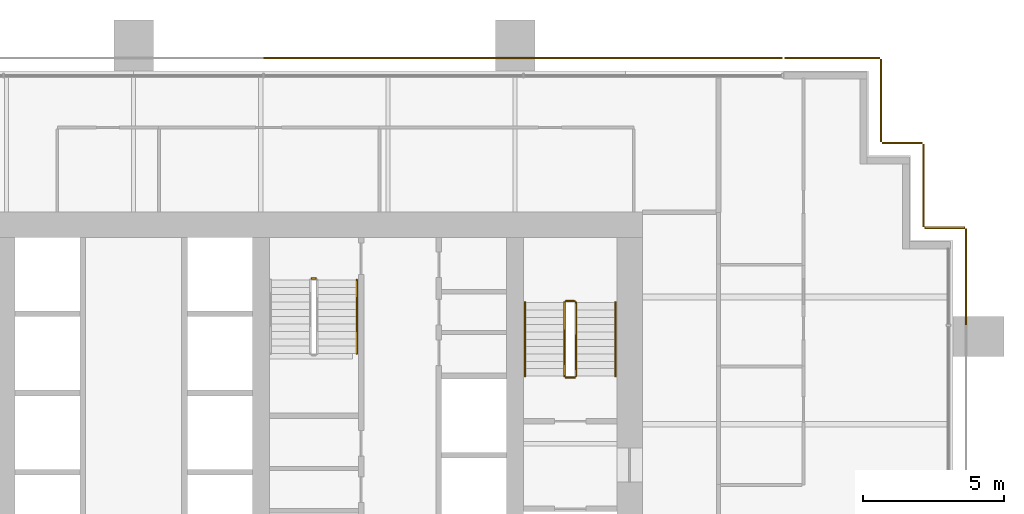
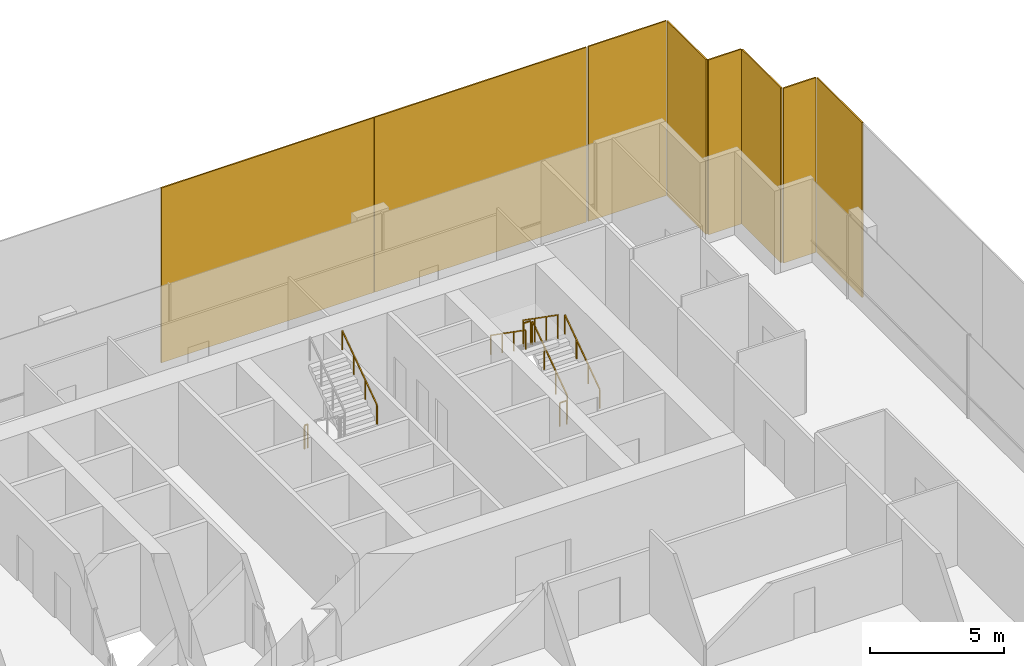
# One storey, part 17 of 17: 8 coverings, 8 railings.
"""IFC4 building model written with IfcOpenShell, lengths in metres."""

from ifc_helpers import new_model, si_unit, direction, frame, origin, origin_2d, place, context, subcontext, project, spatial, rectangle, extrude, material, layer, layer_set, type_object, element, save


model = new_model("IFC4")

# Units and contexts
model_context = context("Model", 3, precision=1e-05, world=origin(), true_north=direction((0.0, 1.0)))
body_context = subcontext(model_context, "Body", "Model", "MODEL_VIEW")
ifc_project = project(units=[si_unit("LENGTHUNIT", "METRE"), si_unit("AREAUNIT", "SQUARE_METRE"), si_unit("VOLUMEUNIT", "CUBIC_METRE"), si_unit("PLANEANGLEUNIT", "RADIAN"), si_unit("MASSUNIT", "GRAM", prefix="KILO")], contexts=[model_context])

# Site, building, storey
site_placement = place(None, origin())
site = spatial("IfcSite", under=ifc_project, at=site_placement, CompositionType="ELEMENT")
building_placement = place(site_placement, origin())
building = spatial("IfcBuilding", under=site, at=building_placement, Name="Rattan Terrace Tower", CompositionType="ELEMENT")
storey_placement = place(building_placement, frame((0.0, 0.0, 126.10009765625)))
storey = spatial("IfcBuildingStorey", under=building, at=storey_placement, Name="L28", CompositionType="ELEMENT", Elevation=126.10009765625)

# Railings
ifc_material_1 = material(Name="Powder-coated steel guard", Category="steel")
railing_type_1 = type_object("IfcRailingType", Name="Core stair guard", PredefinedType="GUARDRAIL", material=ifc_material_1)
railing_1_placement = place(storey_placement, frame((15.64990234375, 1.699951171875, 0.181640625)))
element("IfcRailing", 1, at=railing_1_placement, inside=storey, type_object=railing_type_1, Name="L28 S2 stair guard 1", PredefinedType="GUARDRAIL", context=body_context, shape_type="SweptSolid", body=[
    extrude(rectangle(XDim=0.048095703125, YDim=0.048095703125, at=origin_2d()), frame((0.0, 0.0, 1.076171875), z_axis=(0.0, 0.819484887739, 0.573100792852), x_axis=(-1.0, 0.0, 0.0)), (0.0, 0.0, 1.0), 3.1728515625),
    extrude(rectangle(XDim=0.0419921875, YDim=0.0419921875, at=origin_2d()), origin(), (0.0, 0.0, 1.0), 1.052001953125),
    extrude(rectangle(XDim=0.0419921875, YDim=0.0419921875, at=origin_2d()), frame((0.0, 0.86669921875, 0.606201171875)), (0.0, 0.0, 1.0), 1.052001953125),
    extrude(rectangle(XDim=0.0419921875, YDim=0.0419921875, at=origin_2d()), frame((0.0, 1.7333984375, 1.212158203125)), (0.0, 0.0, 1.0), 1.052001953125),
    extrude(rectangle(XDim=0.0419921875, YDim=0.0419921875, at=origin_2d()), frame((0.0, 2.60009765625, 1.818359375)), (0.0, 0.0, 1.0), 1.052001953125),
])
railing_2_placement = place(storey_placement, frame((15.60009765625, 4.35009765625, 2.0)))
element("IfcRailing", 2, at=railing_2_placement, inside=storey, type_object=railing_type_1, Name="L28 S2 stair guard 2", PredefinedType="GUARDRAIL", context=body_context, shape_type="SweptSolid", body=[
    extrude(rectangle(XDim=0.048095703125, YDim=0.048095703125, at=origin_2d()), frame((0.0, 0.0, 1.076171875), z_axis=(-1.0, 0.0, 0.0), x_axis=(0.0, -1.0, 0.0)), (0.0, 0.0, 1.0), 0.300048828125),
    extrude(rectangle(XDim=0.0419921875, YDim=0.0419921875, at=origin_2d()), origin(), (0.0, 0.0, 1.0), 1.052001953125),
    extrude(rectangle(XDim=0.0419921875, YDim=0.0419921875, at=origin_2d()), frame((-0.300048828125, 0.0, 0.0)), (0.0, 0.0, 1.0), 1.052001953125),
])
railing_3_placement = place(storey_placement, frame((15.25, 4.300048828125, 2.181640625)))
element("IfcRailing", 3, at=railing_3_placement, inside=storey, type_object=railing_type_1, Name="L28 S2 stair guard 3", PredefinedType="GUARDRAIL", context=body_context, shape_type="SweptSolid", body=[
    extrude(rectangle(XDim=0.048095703125, YDim=0.048095703125, at=origin_2d()), frame((0.0, 0.0, 1.076171875), z_axis=(0.0, -0.819484887739, 0.573100792852), x_axis=(1.0, 0.0, 0.0)), (0.0, 0.0, 1.0), 3.1728515625),
    extrude(rectangle(XDim=0.0419921875, YDim=0.0419921875, at=origin_2d()), origin(), (0.0, 0.0, 1.0), 1.052001953125),
    extrude(rectangle(XDim=0.0419921875, YDim=0.0419921875, at=origin_2d()), frame((0.0, -0.86669921875, 0.606201171875)), (0.0, 0.0, 1.0), 1.052001953125),
    extrude(rectangle(XDim=0.0419921875, YDim=0.0419921875, at=origin_2d()), frame((0.0, -1.7333984375, 1.212158203125)), (0.0, 0.0, 1.0), 1.052001953125),
    extrude(rectangle(XDim=0.0419921875, YDim=0.0419921875, at=origin_2d()), frame((0.0, -2.60009765625, 1.818359375)), (0.0, 0.0, 1.0), 1.052001953125),
])
railing_4_placement = place(storey_placement, frame((15.60009765625, 1.64990234375, 0.0)))
element("IfcRailing", 4, at=railing_4_placement, inside=storey, type_object=railing_type_1, Name="L28 S2 stair guard 4", PredefinedType="GUARDRAIL", context=body_context, shape_type="SweptSolid", body=[
    extrude(rectangle(XDim=0.048095703125, YDim=0.048095703125, at=origin_2d()), frame((0.0, 0.0, 1.076171875), z_axis=(-1.0, 0.0, 0.0), x_axis=(0.0, -1.0, 0.0)), (0.0, 0.0, 1.0), 0.300048828125),
    extrude(rectangle(XDim=0.0419921875, YDim=0.0419921875, at=origin_2d()), origin(), (0.0, 0.0, 1.0), 1.052001953125),
    extrude(rectangle(XDim=0.0419921875, YDim=0.0419921875, at=origin_2d()), frame((-0.300048828125, 0.0, 0.0)), (0.0, 0.0, 1.0), 1.052001953125),
])
railing_5_placement = place(storey_placement, frame((6.300048828125, 5.14990234375, 0.0)))
element("IfcRailing", 5, at=railing_5_placement, inside=storey, type_object=railing_type_1, Name="L28 S3 stair guard 4", PredefinedType="GUARDRAIL", context=body_context, shape_type="SweptSolid", body=[
    extrude(rectangle(XDim=0.048095703125, YDim=0.048095703125, at=origin_2d()), frame((0.0, 0.0, 1.076171875), z_axis=(1.0, 0.0, 0.0), x_axis=(0.0, 1.0, 0.0)), (0.0, 0.0, 1.0), 0.14990234375),
    extrude(rectangle(XDim=0.0419921875, YDim=0.0419921875, at=origin_2d()), origin(), (0.0, 0.0, 1.0), 1.052001953125),
    extrude(rectangle(XDim=0.0419921875, YDim=0.0419921875, at=origin_2d()), frame((0.14990234375, 0.0, 0.0)), (0.0, 0.0, 1.0), 1.052001953125),
])
ifc_material_2 = material(Name="Powder-coated steel handrail", Category="steel")
railing_type_2 = type_object("IfcRailingType", Name="Core stair handrail", PredefinedType="HANDRAIL", material=ifc_material_2)
railing_6_placement = place(storey_placement, frame((17.050048828125, 1.699951171875, 0.181640625)))
element("IfcRailing", 6, at=railing_6_placement, inside=storey, type_object=railing_type_2, Name="L28 S2 stair handrail 1", PredefinedType="HANDRAIL", context=body_context, shape_type="SweptSolid", body=[
    extrude(rectangle(XDim=0.048095703125, YDim=0.048095703125, at=origin_2d()), frame((0.0, 0.0, 0.8759765625), z_axis=(0.0, 0.819484887739, 0.573100792852), x_axis=(-1.0, 0.0, 0.0)), (0.0, 0.0, 1.0), 3.1728515625),
    extrude(rectangle(XDim=0.0419921875, YDim=0.0419921875, at=origin_2d()), origin(), (0.0, 0.0, 1.0), 0.851806640625),
    extrude(rectangle(XDim=0.0419921875, YDim=0.0419921875, at=origin_2d()), frame((0.0, 0.86669921875, 0.606201171875)), (0.0, 0.0, 1.0), 0.851806640625),
    extrude(rectangle(XDim=0.0419921875, YDim=0.0419921875, at=origin_2d()), frame((0.0, 1.7333984375, 1.212158203125)), (0.0, 0.0, 1.0), 0.851806640625),
    extrude(rectangle(XDim=0.0419921875, YDim=0.0419921875, at=origin_2d()), frame((0.0, 2.60009765625, 1.818359375)), (0.0, 0.0, 1.0), 0.851806640625),
])
railing_7_placement = place(storey_placement, frame((13.85009765625, 4.300048828125, 2.181640625)))
element("IfcRailing", 7, at=railing_7_placement, inside=storey, type_object=railing_type_2, Name="L28 S2 stair handrail 2", PredefinedType="HANDRAIL", context=body_context, shape_type="SweptSolid", body=[
    extrude(rectangle(XDim=0.048095703125, YDim=0.048095703125, at=origin_2d()), frame((0.0, 0.0, 0.8759765625), z_axis=(0.0, -0.819484887739, 0.573100792852), x_axis=(1.0, 0.0, 0.0)), (0.0, 0.0, 1.0), 3.1728515625),
    extrude(rectangle(XDim=0.0419921875, YDim=0.0419921875, at=origin_2d()), origin(), (0.0, 0.0, 1.0), 0.851806640625),
    extrude(rectangle(XDim=0.0419921875, YDim=0.0419921875, at=origin_2d()), frame((0.0, -0.86669921875, 0.606201171875)), (0.0, 0.0, 1.0), 0.851806640625),
    extrude(rectangle(XDim=0.0419921875, YDim=0.0419921875, at=origin_2d()), frame((0.0, -1.7333984375, 1.212158203125)), (0.0, 0.0, 1.0), 0.851806640625),
    extrude(rectangle(XDim=0.0419921875, YDim=0.0419921875, at=origin_2d()), frame((0.0, -2.60009765625, 1.818359375)), (0.0, 0.0, 1.0), 0.851806640625),
])
railing_8_placement = place(storey_placement, frame((7.89990234375, 2.5, 2.181640625)))
element("IfcRailing", 8, at=railing_8_placement, inside=storey, type_object=railing_type_2, Name="L28 S3 stair handrail 2", PredefinedType="HANDRAIL", context=body_context, shape_type="SweptSolid", body=[
    extrude(rectangle(XDim=0.048095703125, YDim=0.048095703125, at=origin_2d()), frame((0.0, 0.0, 0.8759765625), z_axis=(0.0, 0.819484887739, 0.573100792852), x_axis=(-1.0, 0.0, 0.0)), (0.0, 0.0, 1.0), 3.1728515625),
    extrude(rectangle(XDim=0.0419921875, YDim=0.0419921875, at=origin_2d()), origin(), (0.0, 0.0, 1.0), 0.851806640625),
    extrude(rectangle(XDim=0.0419921875, YDim=0.0419921875, at=origin_2d()), frame((0.0, 0.86669921875, 0.606201171875)), (0.0, 0.0, 1.0), 0.851806640625),
    extrude(rectangle(XDim=0.0419921875, YDim=0.0419921875, at=origin_2d()), frame((0.0, 1.7333984375, 1.212158203125)), (0.0, 0.0, 1.0), 0.851806640625),
    extrude(rectangle(XDim=0.0419921875, YDim=0.0419921875, at=origin_2d()), frame((0.0, 2.60009765625, 1.818359375)), (0.0, 0.0, 1.0), 0.851806640625),
])

# Coverings
ifc_material_3 = material(Name="Perforated terracotta", Category="masonry")
ifc_layer = layer(ifc_material_3, 0.06005859375)
ifc_layer_set = layer_set([ifc_layer], Name="Facade Terracotta Screen Panel")
covering_type = type_object("IfcCoveringType", Name="Facade Terracotta Screen Panel", PredefinedType="CLADDING", material=ifc_layer_set)
covering_1_placement = place(storey_placement, frame((29.449951171875, 5.2099609375, -0.190185546875), z_axis=(0.0, 0.0, 1.0), x_axis=(0.0, 1.0, 0.0)))
element("IfcCovering", 9, at=covering_1_placement, inside=storey, type_object=covering_type, Name="OUTER SKIN panel L28-9", PredefinedType="CLADDING", context=body_context, shape_type="SweptSolid", body=[
    extrude(rectangle(XDim=3.39990234375, YDim=0.06005859375, at=origin_2d()), origin(), (0.0, 0.0, 1.0), 7.97998046875),
])
covering_2_placement = place(storey_placement, frame((28.699951171875, 6.949951171875, -0.190185546875), z_axis=(0.0, 0.0, 1.0), x_axis=(-1.0, 0.0, 0.0)))
element("IfcCovering", 10, at=covering_2_placement, inside=storey, type_object=covering_type, Name="OUTER SKIN panel L28-10", PredefinedType="CLADDING", context=body_context, shape_type="SweptSolid", body=[
    extrude(rectangle(XDim=1.419921875, YDim=0.06005859375, at=origin_2d()), origin(), (0.0, 0.0, 1.0), 7.97998046875),
])
covering_3_placement = place(storey_placement, frame((27.949951171875, 8.449951171875, -0.190185546875), z_axis=(0.0, 0.0, 1.0), x_axis=(0.0, 1.0, 0.0)))
element("IfcCovering", 11, at=covering_3_placement, inside=storey, type_object=covering_type, Name="OUTER SKIN panel L28-11", PredefinedType="CLADDING", context=body_context, shape_type="SweptSolid", body=[
    extrude(rectangle(XDim=2.919921875, YDim=0.06005859375, at=origin_2d()), origin(), (0.0, 0.0, 1.0), 7.97998046875),
])
covering_4_placement = place(storey_placement, frame((27.199951171875, 9.949951171875, -0.190185546875), z_axis=(0.0, 0.0, 1.0), x_axis=(-1.0, 0.0, 0.0)))
element("IfcCovering", 12, at=covering_4_placement, inside=storey, type_object=covering_type, Name="OUTER SKIN panel L28-12", PredefinedType="CLADDING", context=body_context, shape_type="SweptSolid", body=[
    extrude(rectangle(XDim=1.419921875, YDim=0.06005859375, at=origin_2d()), origin(), (0.0, 0.0, 1.0), 7.97998046875),
])
covering_5_placement = place(storey_placement, frame((26.449951171875, 11.449951171875, -0.190185546875), z_axis=(0.0, 0.0, 1.0), x_axis=(0.0, 1.0, 0.0)))
element("IfcCovering", 13, at=covering_5_placement, inside=storey, type_object=covering_type, Name="OUTER SKIN panel L28-13", PredefinedType="CLADDING", context=body_context, shape_type="SweptSolid", body=[
    extrude(rectangle(XDim=2.919921875, YDim=0.06005859375, at=origin_2d()), origin(), (0.0, 0.0, 1.0), 7.97998046875),
])
covering_6_placement = place(storey_placement, frame((24.72509765625, 12.949951171875, -0.190185546875), z_axis=(0.0, 0.0, 1.0), x_axis=(-1.0, 0.0, 0.0)))
element("IfcCovering", 14, at=covering_6_placement, inside=storey, type_object=covering_type, Name="OUTER SKIN panel L28-14", PredefinedType="CLADDING", context=body_context, shape_type="SweptSolid", body=[
    extrude(rectangle(XDim=3.3701171875, YDim=0.06005859375, at=origin_2d()), origin(), (0.0, 0.0, 1.0), 7.97998046875),
])
covering_7_placement = place(storey_placement, frame((18.384521484375, 12.949951171875, -0.190185546875), z_axis=(0.0, 0.0, 1.0), x_axis=(-1.0, 0.0, 0.0)))
element("IfcCovering", 15, at=covering_7_placement, inside=storey, type_object=covering_type, Name="OUTER SKIN panel L28-15", PredefinedType="CLADDING", context=body_context, shape_type="SweptSolid", body=[
    extrude(rectangle(XDim=9.15087890625, YDim=0.06005859375, at=origin_2d()), origin(), (0.0, 0.0, 1.0), 7.97998046875),
])
covering_8_placement = place(storey_placement, frame((9.198486328125, 12.949951171875, -0.190185546875), z_axis=(0.0, 0.0, 1.0), x_axis=(-1.0, 0.0, 0.0)))
element("IfcCovering", 16, at=covering_8_placement, inside=storey, type_object=covering_type, Name="OUTER SKIN panel L28-16", PredefinedType="CLADDING", context=body_context, shape_type="SweptSolid", body=[
    extrude(rectangle(XDim=9.180908203125, YDim=0.06005859375, at=origin_2d()), origin(), (0.0, 0.0, 1.0), 7.97998046875),
])

save(model, "model.ifc")
